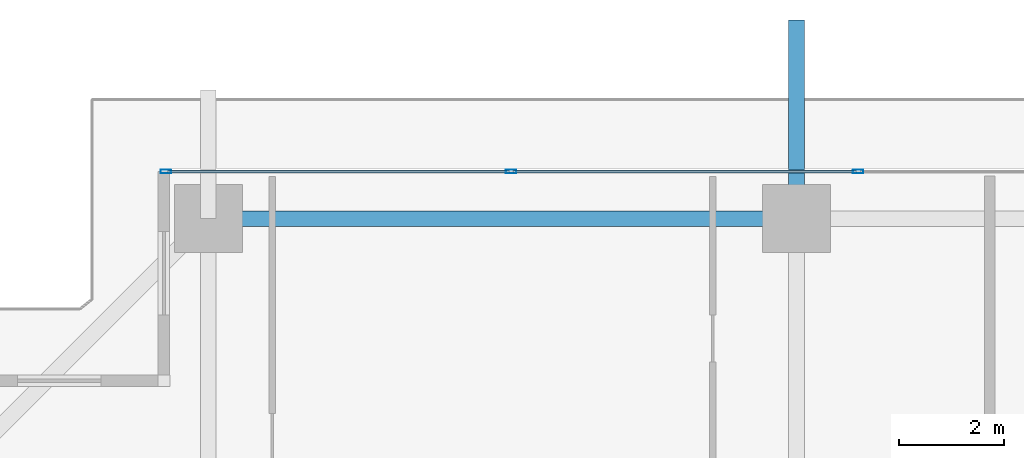
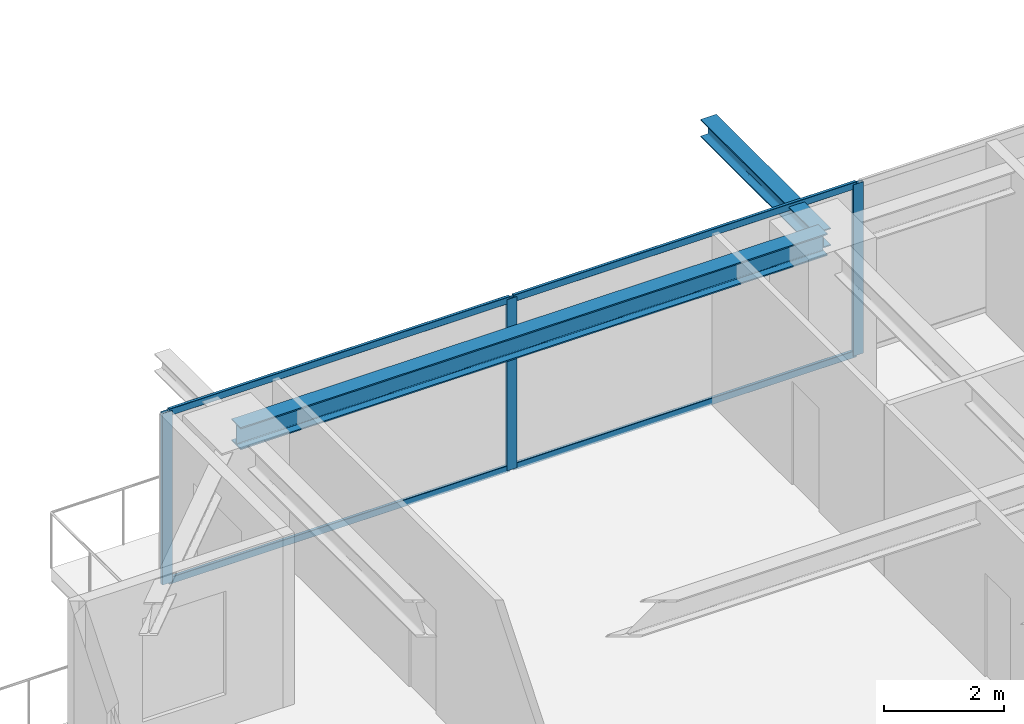
# One storey, part 21 of 37: 7 members, 2 beams, 1 element without a shape of its own.
"""IFC4 building model written with IfcOpenShell, lengths in metres."""

from ifc_helpers import new_model, si_unit, direction, frame, origin, origin_2d, place, context, subcontext, project, spatial, hollow_rectangle, i_section, extrude, source, transform, mapped, material, layer, layer_set, material_profile, profile_set, type_object, element, aggregate, save


model = new_model("IFC4")

# Units and contexts
model_context = context("Model", 3, precision=1e-05, world=origin(), true_north=direction((0.0, 1.0)))
body_context = subcontext(model_context, "Body", "Model", "MODEL_VIEW")
ifc_project = project(units=[si_unit("LENGTHUNIT", "METRE"), si_unit("AREAUNIT", "SQUARE_METRE"), si_unit("VOLUMEUNIT", "CUBIC_METRE"), si_unit("PLANEANGLEUNIT", "RADIAN"), si_unit("MASSUNIT", "GRAM", prefix="KILO")], contexts=[model_context])

# Site, building, storey
site_placement = place(None, origin())
site = spatial("IfcSite", under=ifc_project, at=site_placement, CompositionType="ELEMENT")
building_placement = place(site_placement, origin())
building = spatial("IfcBuilding", under=site, at=building_placement, Name="Serunith Strait Residences", CompositionType="ELEMENT")
storey_placement = place(building_placement, frame((0.0, 0.0, 161.39990234375)))
storey = spatial("IfcBuildingStorey", under=building, at=storey_placement, Name="L40", CompositionType="ELEMENT", Elevation=161.39990234375)

# Beams
ifc_material_1 = material(Name="Steel S355J2", Category="steel")
ifc_material_profile_1 = material_profile(ifc_material_1, i_section(OverallWidth=0.300048828125, OverallDepth=0.449951171875, WebThickness=0.013916015625, FlangeThickness=0.02587890625, FilletRadius=0.027099609375, at=origin_2d()), Name="HEB 450")
ifc_profile_set_1 = profile_set([ifc_material_profile_1], Name="Steel S355J2")
beam_type_1 = type_object("IfcBeamType", Name="BM-HEB450", PredefinedType="BEAM", material=ifc_profile_set_1)
shared_shape_1 = source(origin(), body_context, "Body", "SweptSolid", [
    extrude(i_section(OverallWidth=0.300048828125, OverallDepth=0.449951171875, WebThickness=0.013916015625, FlangeThickness=0.02587890625, FilletRadius=0.027099609375, at=origin_2d()), origin(), (0.0, 0.0, 1.0), 11.25),
])
beam_1_placement = place(storey_placement, frame((27.89990234375, 48.10009765625, 3.26220703125), z_axis=(-1.0, 0.0, 0.0), x_axis=(0.0, -1.0, 0.0)))
element("IfcBeam", 1, at=beam_1_placement, inside=storey, type_object=beam_type_1, Name="L40 Perimeter Ring Beam 11", PredefinedType="BEAM", context=body_context, shape_type="MappedRepresentation", body=[
    mapped(shared_shape_1, transform((0.0, 0.0, 0.0), scale=1.0)),
])
ifc_material_profile_2 = material_profile(ifc_material_1, i_section(OverallWidth=0.300048828125, OverallDepth=0.360107421875, WebThickness=0.012451171875, FlangeThickness=0.0224609375, FilletRadius=0.027099609375, at=origin_2d()), Name="HEB 360")
ifc_profile_set_2 = profile_set([ifc_material_profile_2], Name="Steel S355J2")
beam_type_2 = type_object("IfcBeamType", Name="BM-HEB360", PredefinedType="BEAM", material=ifc_profile_set_2)
shared_shape_2 = source(origin(), body_context, "Body", "SweptSolid", [
    extrude(i_section(OverallWidth=0.300048828125, OverallDepth=0.360107421875, WebThickness=0.012451171875, FlangeThickness=0.0224609375, FilletRadius=0.027099609375, at=origin_2d()), origin(), (0.0, 0.0, 1.0), 3.7998046875),
])
beam_2_placement = place(storey_placement, frame((27.89990234375, 48.10009765625, 3.277099609375), z_axis=(0.0, 1.0, 0.0), x_axis=(-1.0, 0.0, 0.0)))
element("IfcBeam", 2, at=beam_2_placement, inside=storey, type_object=beam_type_2, Name="L41 Cantilevered Balcony Rib TC-N2", PredefinedType="BEAM", context=body_context, shape_type="MappedRepresentation", body=[
    mapped(shared_shape_2, transform((0.0, 0.0, 0.0), scale=1.0)),
])

# Curtain wall, members
ifc_material_2 = material(Name="Pale-Champagne Anodised Aluminium", Category="aluminium")
ifc_layer = layer(ifc_material_2, 0.199951171875, Name="Pale-Champagne Anodised Aluminium")
ifc_layer_set = layer_set([ifc_layer], Name="Pale-Champagne Anodised Aluminium")
curtain_wall_type = type_object("IfcCurtainWallType", Name="CW-SYS2", PredefinedType="NOTDEFINED", material=ifc_layer_set)
curtain_wall_placement = place(storey_placement, origin())
curtain_wall = element("IfcCurtainWall", 3, at=curtain_wall_placement, inside=storey, type_object=curtain_wall_type, Name="L40 N Unitised Fritted Curtain Wall", PredefinedType="NOTDEFINED")
ifc_material_profile_3 = material_profile(ifc_material_2, hollow_rectangle(XDim=0.070068359375, YDim=0.199951171875, WallThickness=0.00390625, InnerFilletRadius=0.006103515625, OuterFilletRadius=0.010009765625, at=origin_2d()), Name="ALU 200x70x4")
ifc_profile_set_3 = profile_set([ifc_material_profile_3], Name="Pale-Champagne Anodised Aluminium")
member_type_1 = type_object("IfcMemberType", Name="CW-SYS2-MULL", PredefinedType="MULLION", material=ifc_profile_set_3)
shared_shape_3 = source(origin(), body_context, "Body", "SweptSolid", [
    extrude(hollow_rectangle(XDim=0.070068359375, YDim=0.199951171875, WallThickness=0.00390625, InnerFilletRadius=0.006103515625, OuterFilletRadius=0.010009765625, at=origin_2d()), origin(), (0.0, 0.0, 1.0), 3.47509765625),
])
member_1_placement = place(storey_placement, frame((29.080078125, 49.0, 0.0), z_axis=(0.0, 0.0, 1.0), x_axis=(0.0, -1.0, 0.0)))
member_1 = element("IfcMember", 4, at=member_1_placement, type_object=member_type_1, Name="CW-2 mullion 4", PredefinedType="MULLION", context=body_context, shape_type="MappedRepresentation", body=[
    mapped(shared_shape_3, transform((0.0, 0.0, 0.0), scale=1.0)),
])
member_2_placement = place(storey_placement, frame((22.43994140625, 49.0, 0.0), z_axis=(0.0, 0.0, 1.0), x_axis=(0.0, -1.0, 0.0)))
member_2 = element("IfcMember", 5, at=member_2_placement, type_object=member_type_1, Name="CW-2 mullion 5", PredefinedType="MULLION", context=body_context, shape_type="MappedRepresentation", body=[
    mapped(shared_shape_3, transform((0.0, 0.0, 0.0), scale=1.0)),
])
member_3_placement = place(storey_placement, frame((15.8349609375, 49.0, 0.0), z_axis=(0.0, 0.0, 1.0), x_axis=(0.0, -1.0, 0.0)))
member_3 = element("IfcMember", 6, at=member_3_placement, type_object=member_type_1, Name="CW-2 mullion 6", PredefinedType="MULLION", context=body_context, shape_type="MappedRepresentation", body=[
    mapped(shared_shape_3, transform((0.0, 0.0, 0.0), scale=1.0)),
])
ifc_material_profile_4 = material_profile(ifc_material_2, hollow_rectangle(XDim=0.06005859375, YDim=0.139892578125, WallThickness=0.00341796875, InnerFilletRadius=0.00537109375, OuterFilletRadius=0.0087890625, at=origin_2d()), Name="ALU 140x60x3.5")
ifc_profile_set_4 = profile_set([ifc_material_profile_4], Name="Pale-Champagne Anodised Aluminium")
member_type_2 = type_object("IfcMemberType", Name="CW-SYS2-TRAN", PredefinedType="USERDEFINED", material=ifc_profile_set_4)
shared_shape_4 = source(origin(), body_context, "Body", "SweptSolid", [
    extrude(hollow_rectangle(XDim=0.06005859375, YDim=0.139892578125, WallThickness=0.00341796875, InnerFilletRadius=0.00537109375, OuterFilletRadius=0.0087890625, at=origin_2d()), origin(), (0.0, 0.0, 1.0), 6.534912109375),
])
member_4_placement = place(storey_placement, frame((22.405029296875, 49.0, 0.030029296875), z_axis=(-1.0, 0.0, 0.0), x_axis=(0.0, -1.0, 0.0)))
member_4 = element("IfcMember", 7, at=member_4_placement, type_object=member_type_2, Name="CW-2 transom 5.1", ObjectType="TRANSOM", PredefinedType="USERDEFINED", context=body_context, shape_type="MappedRepresentation", body=[
    mapped(shared_shape_4, transform((0.0, 0.0, 0.0), scale=1.0)),
])
member_5_placement = place(storey_placement, frame((22.405029296875, 49.0, 3.445068359375), z_axis=(-1.0, 0.0, 0.0), x_axis=(0.0, -1.0, 0.0)))
member_5 = element("IfcMember", 8, at=member_5_placement, type_object=member_type_2, Name="CW-2 transom 5.2", ObjectType="TRANSOM", PredefinedType="USERDEFINED", context=body_context, shape_type="MappedRepresentation", body=[
    mapped(shared_shape_4, transform((0.0, 0.0, 0.0), scale=1.0)),
])
shared_shape_5 = source(origin(), body_context, "Body", "SweptSolid", [
    extrude(hollow_rectangle(XDim=0.06005859375, YDim=0.139892578125, WallThickness=0.00341796875, InnerFilletRadius=0.00537109375, OuterFilletRadius=0.0087890625, at=origin_2d()), origin(), (0.0, 0.0, 1.0), 6.56982421875),
])
member_6_placement = place(storey_placement, frame((29.044921875, 49.0, 0.030029296875), z_axis=(-1.0, 0.0, 0.0), x_axis=(0.0, -1.0, 0.0)))
member_6 = element("IfcMember", 9, at=member_6_placement, type_object=member_type_2, Name="CW-2 transom 4.1", ObjectType="TRANSOM", PredefinedType="USERDEFINED", context=body_context, shape_type="MappedRepresentation", body=[
    mapped(shared_shape_5, transform((0.0, 0.0, 0.0), scale=1.0)),
])
member_7_placement = place(storey_placement, frame((29.044921875, 49.0, 3.445068359375), z_axis=(-1.0, 0.0, 0.0), x_axis=(0.0, -1.0, 0.0)))
member_7 = element("IfcMember", 10, at=member_7_placement, type_object=member_type_2, Name="CW-2 transom 4.2", ObjectType="TRANSOM", PredefinedType="USERDEFINED", context=body_context, shape_type="MappedRepresentation", body=[
    mapped(shared_shape_5, transform((0.0, 0.0, 0.0), scale=1.0)),
])
aggregate(curtain_wall, [member_1, member_2, member_3, member_6, member_7, member_4, member_5])

save(model, "model.ifc")
